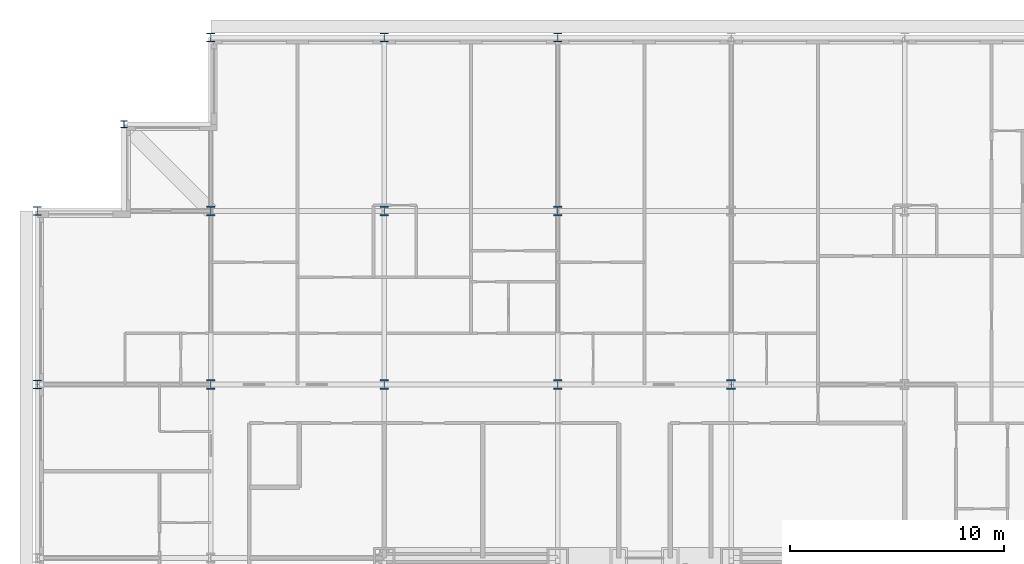
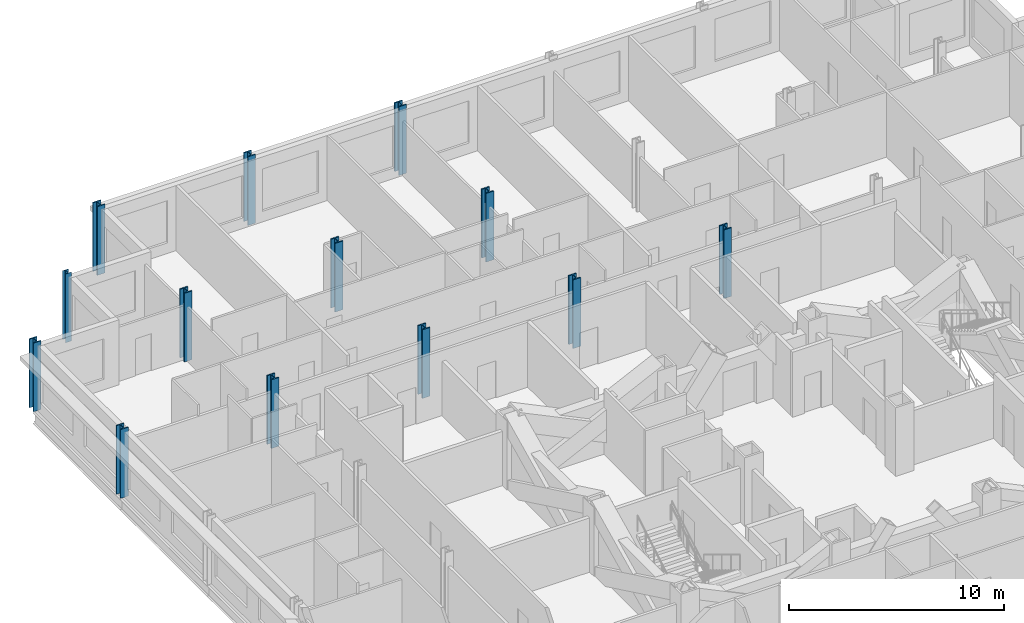
# One storey, part 3 of 16: 13 columns.
"""IFC4 building model written with IfcOpenShell, lengths in metres."""

from ifc_helpers import new_model, si_unit, direction, frame, origin, origin_2d, place, context, subcontext, project, spatial, i_section, extrude, material, material_profile, profile_set, type_object, element, save


model = new_model("IFC4")

# Units and contexts
model_context = context("Model", 3, precision=1e-05, world=origin(), true_north=direction((0.0, 1.0)))
body_context = subcontext(model_context, "Body", "Model", "MODEL_VIEW")
ifc_project = project(units=[si_unit("LENGTHUNIT", "METRE"), si_unit("AREAUNIT", "SQUARE_METRE"), si_unit("VOLUMEUNIT", "CUBIC_METRE"), si_unit("PLANEANGLEUNIT", "RADIAN"), si_unit("MASSUNIT", "GRAM", prefix="KILO")], contexts=[model_context])

# Site, building, storey
site_placement = place(None, origin())
site = spatial("IfcSite", under=ifc_project, at=site_placement, CompositionType="ELEMENT")
building_placement = place(site_placement, origin())
building = spatial("IfcBuilding", under=site, at=building_placement, Name="Kopane Lantern Tower", CompositionType="ELEMENT")
storey_placement = place(building_placement, frame((0.0, 0.0, 265.800048828125)))
storey = spatial("IfcBuildingStorey", under=building, at=storey_placement, Name="L68", CompositionType="ELEMENT", Elevation=265.800048828125)

# Columns
ifc_material_1 = material(Name="Steel S355JR", Category="steel")
ifc_material_profile_1 = material_profile(ifc_material_1, i_section(OverallWidth=0.307373046875, OverallDepth=0.314453125, WebThickness=0.011962890625, FlangeThickness=0.018798828125, FilletRadius=0.01513671875, at=origin_2d()), Name="UC 305x305x118")
ifc_profile_set_1 = profile_set([ifc_material_profile_1], Name="Steel S355JR")
column_type_1 = type_object("IfcColumnType", Name="COLUMN UC 305x305x118", PredefinedType="COLUMN", material=ifc_profile_set_1)
column_placement = place(storey_placement, frame((4.050048828125, 60.75, 0.0), z_axis=(0.0, 0.0, 1.0), x_axis=(1.0, 0.0, 0.0)))
element("IfcColumn", 1, at=column_placement, inside=storey, type_object=column_type_1, Name="Column 4.05/60.75 L68", PredefinedType="COLUMN", context=body_context, shape_type="SweptSolid", body=[
    extrude(i_section(OverallWidth=0.307373046875, OverallDepth=0.314453125, WebThickness=0.011962890625, FlangeThickness=0.018798828125, FilletRadius=0.01513671875, at=origin_2d()), origin(), (0.0, 0.0, 1.0), 3.89990234375),
])
ifc_material_2 = material(Name="Steel S355JR", Category="steel")
ifc_material_profile_2 = material_profile(ifc_material_2, i_section(OverallWidth=0.412109375, OverallDepth=0.4365234375, WebThickness=0.035888671875, FlangeThickness=0.05810546875, FilletRadius=0.01513671875, at=origin_2d()), Name="UC 356x406x467")
ifc_profile_set_2 = profile_set([ifc_material_profile_2], Name="Steel S355JR")
column_type_2 = type_object("IfcColumnType", Name="COLUMN UC 356x406x467", PredefinedType="COLUMN", material=ifc_profile_set_2)
for number, where, z_axis, x_axis, name in (
    (2, (0.0, 48.60009765625, 0.0), (0.0, 0.0, 1.0), (1.0, 0.0, 0.0), "Column 2/H L68"),
    (3, (0.0, 56.699951171875, 0.0), (0.0, 0.0, 1.0), (1.0, 0.0, 0.0), "Column 2/J L68"),
    (4, (8.10009765625, 64.800048828125, 0.0), (0.0, 0.0, 1.0), (1.0, 0.0, 0.0), "Column 3/K L68"),
    (5, (16.199951171875, 64.800048828125, 0.0), (0.0, 0.0, 1.0), (1.0, 0.0, 0.0), "Column 4/K L68"),
    (6, (24.300048828125, 64.800048828125, 0.0), (0.0, 0.0, 1.0), (1.0, 0.0, 0.0), "Column 5/K L68"),
):
    element("IfcColumn", number, at=place(storey_placement, frame(where, z_axis=z_axis, x_axis=x_axis)), inside=storey, type_object=column_type_2, Name=name, PredefinedType="COLUMN", context=body_context, shape_type="SweptSolid", body=[
        extrude(i_section(OverallWidth=0.412109375, OverallDepth=0.4365234375, WebThickness=0.035888671875, FlangeThickness=0.05810546875, FilletRadius=0.01513671875, at=origin_2d()), origin(), (0.0, 0.0, 1.0), 3.89990234375),
    ])
ifc_material_3 = material(Name="Steel S355JR", Category="steel")
ifc_material_profile_3 = material_profile(ifc_material_3, i_section(OverallWidth=0.41845703125, OverallDepth=0.45556640625, WebThickness=0.0419921875, FlangeThickness=0.0673828125, FilletRadius=0.01513671875, at=origin_2d()), Name="UC 356x406x551")
ifc_profile_set_3 = profile_set([ifc_material_profile_3], Name="Steel S355JR")
column_type_3 = type_object("IfcColumnType", Name="COLUMN UC 356x406x551", PredefinedType="COLUMN", material=ifc_profile_set_3)
for number, where, z_axis, x_axis, name in (
    (7, (8.10009765625, 48.60009765625, 0.0), (0.0, 0.0, 1.0), (1.0, 0.0, 0.0), "Column 3/H L68"),
    (8, (8.10009765625, 56.699951171875, 0.0), (0.0, 0.0, 1.0), (1.0, 0.0, 0.0), "Column 3/J L68"),
    (9, (16.199951171875, 48.60009765625, 0.0), (0.0, 0.0, 1.0), (1.0, 0.0, 0.0), "Column 4/H L68"),
    (10, (16.199951171875, 56.699951171875, 0.0), (0.0, 0.0, 1.0), (1.0, 0.0, 0.0), "Column 4/J L68"),
    (11, (24.300048828125, 48.60009765625, 0.0), (0.0, 0.0, 1.0), (1.0, 0.0, 0.0), "Column 5/H L68"),
    (12, (24.300048828125, 56.699951171875, 0.0), (0.0, 0.0, 1.0), (1.0, 0.0, 0.0), "Column 5/J L68"),
    (13, (32.39990234375, 48.60009765625, 0.0), (0.0, 0.0, 1.0), (1.0, 0.0, 0.0), "Column 6/H L68"),
):
    element("IfcColumn", number, at=place(storey_placement, frame(where, z_axis=z_axis, x_axis=x_axis)), inside=storey, type_object=column_type_3, Name=name, PredefinedType="COLUMN", context=body_context, shape_type="SweptSolid", body=[
        extrude(i_section(OverallWidth=0.41845703125, OverallDepth=0.45556640625, WebThickness=0.0419921875, FlangeThickness=0.0673828125, FilletRadius=0.01513671875, at=origin_2d()), origin(), (0.0, 0.0, 1.0), 3.89990234375),
    ])

save(model, "model.ifc")
